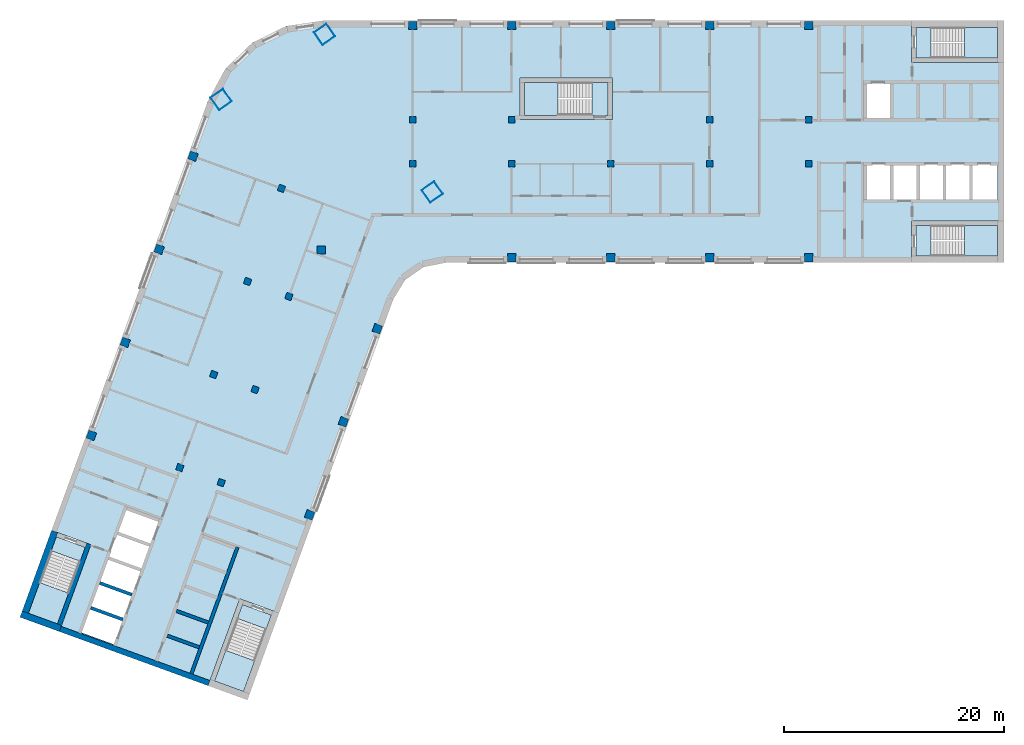
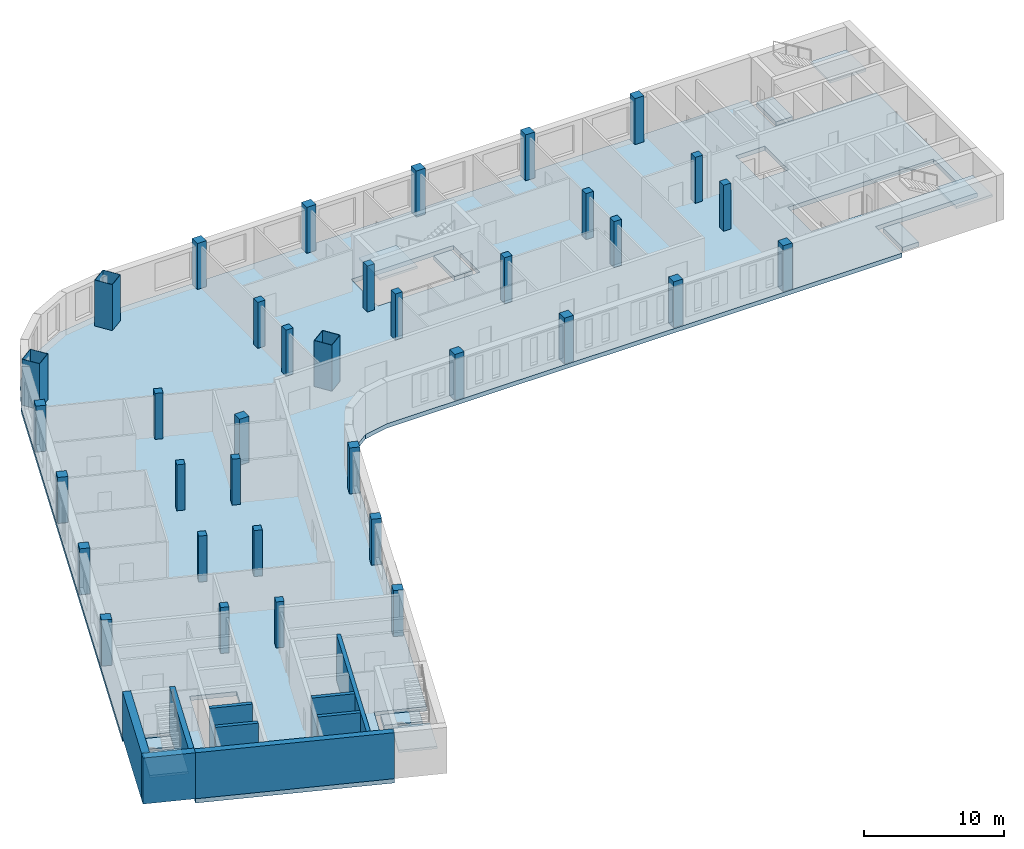
# One storey, part 1 of 8: 36 columns, 11 slabs, 9 walls, 5 elements without a shape of their own.
"""IFC4 building model written with IfcOpenShell, lengths in metres."""

from ifc_helpers import new_model, si_unit, direction, frame, frame_2d, origin, origin_2d, place, context, subcontext, project, spatial, polyline, rectangle, hollow_rectangle, outline, extrude, material, layer, layer_set, material_profile, profile_set, type_object, element, aggregate, save


model = new_model("IFC4")

# Units and contexts
model_context = context("Model", 3, precision=1e-05, world=origin(), true_north=direction((0.0, 1.0)))
body_context = subcontext(model_context, "Body", "Model", "MODEL_VIEW")
ifc_project = project(units=[si_unit("LENGTHUNIT", "METRE"), si_unit("AREAUNIT", "SQUARE_METRE"), si_unit("VOLUMEUNIT", "CUBIC_METRE"), si_unit("PLANEANGLEUNIT", "RADIAN"), si_unit("MASSUNIT", "GRAM", prefix="KILO")], contexts=[model_context])

# Site, building, storey
site_placement = place(None, origin())
site = spatial("IfcSite", under=ifc_project, at=site_placement, CompositionType="ELEMENT")
building_placement = place(site_placement, origin())
building = spatial("IfcBuilding", under=site, at=building_placement, Name="Skarvind Civic Tower", CompositionType="ELEMENT")
storey_placement = place(building_placement, frame((0.0, 0.0, 224.0)))
storey = spatial("IfcBuildingStorey", under=building, at=storey_placement, Name="L53", CompositionType="ELEMENT", Elevation=224.0)

# Columns
ifc_material_1 = material(Name="Concrete C60", Category="concrete")
ifc_material_profile_1 = material_profile(ifc_material_1, rectangle(XDim=0.60009765625, YDim=0.60009765625, at=origin_2d()), Name="RC-600x600")
ifc_profile_set_1 = profile_set([ifc_material_profile_1], Name="Concrete C60")
column_type_1 = type_object("IfcColumnType", Name="Column RC-600x600 C60", PredefinedType="COLUMN", material=ifc_profile_set_1)
for number, where, z_axis, x_axis, name in (
    (1, (54.25, 130.0, 0.0), (0.0, 0.0, 1.0), (1.0, 0.0, 0.0), "Column wing 1 north inner 02 L53"),
    (2, (63.25, 130.0, 0.0), (0.0, 0.0, 1.0), (1.0, 0.0, 0.0), "Column wing 1 north inner 03 L53"),
    (3, (81.25, 130.0, 0.0), (0.0, 0.0, 1.0), (1.0, 0.0, 0.0), "Column wing 1 north inner 05 L53"),
    (4, (90.25, 130.0, 0.0), (0.0, 0.0, 1.0), (1.0, 0.0, 0.0), "Column wing 1 north inner 06 L53"),
    (5, (54.25, 126.0, 0.0), (0.0, 0.0, 1.0), (1.0, 0.0, 0.0), "Column wing 1 south inner 02 L53"),
    (6, (63.25, 126.0, 0.0), (0.0, 0.0, 1.0), (1.0, 0.0, 0.0), "Column wing 1 south inner 03 L53"),
    (7, (72.25, 126.0, 0.0), (0.0, 0.0, 1.0), (1.0, 0.0, 0.0), "Column wing 1 south inner 04 L53"),
    (8, (81.25, 126.0, 0.0), (0.0, 0.0, 1.0), (1.0, 0.0, 0.0), "Column wing 1 south inner 05 L53"),
    (9, (90.25, 126.0, 0.0), (0.0, 0.0, 1.0), (1.0, 0.0, 0.0), "Column wing 1 south inner 06 L53"),
    (10, (43.005615234375, 113.92529296875, 0.0), (0.0, 0.0, 1.0), (-0.342020143326, -0.939692620786, 0.0), "Column wing 2 left inner 02 L53"),
    (11, (39.927490234375, 105.468017578125, 0.0), (0.0, 0.0, 1.0), (-0.342020143326, -0.939692620786, 0.0), "Column wing 2 left inner 03 L53"),
    (12, (36.84912109375, 97.010986328125, 0.0), (0.0, 0.0, 1.0), (-0.342020143326, -0.939692620786, 0.0), "Column wing 2 left inner 04 L53"),
    (13, (42.324951171875, 123.750732421875, 0.0), (0.0, 0.0, 1.0), (-0.342020143326, -0.939692620786, 0.0), "Column wing 2 right inner 01 L53"),
    (14, (39.246826171875, 115.29345703125, 0.0), (0.0, 0.0, 1.0), (-0.342020143326, -0.939692620786, 0.0), "Column wing 2 right inner 02 L53"),
    (15, (36.168701171875, 106.836181640625, 0.0), (0.0, 0.0, 1.0), (-0.342020143326, -0.939692620786, 0.0), "Column wing 2 right inner 03 L53"),
    (16, (33.090576171875, 98.37890625, 0.0), (0.0, 0.0, 1.0), (-0.342020143326, -0.939692620786, 0.0), "Column wing 2 right inner 04 L53"),
):
    element("IfcColumn", number, at=place(storey_placement, frame(where, z_axis=z_axis, x_axis=x_axis)), inside=storey, type_object=column_type_1, Name=name, PredefinedType="COLUMN", context=body_context, shape_type="SweptSolid", body=[
        extrude(rectangle(XDim=0.60009765625, YDim=0.60009765625, at=origin_2d()), origin(), (0.0, 0.0, 1.0), 4.0),
    ])
ifc_material_profile_2 = material_profile(ifc_material_1, rectangle(XDim=0.75, YDim=0.75, at=origin_2d()), Name="RC-750x750")
ifc_profile_set_2 = profile_set([ifc_material_profile_2], Name="Concrete C60")
column_type_2 = type_object("IfcColumnType", Name="Column RC-750x750 C60", PredefinedType="COLUMN", material=ifc_profile_set_2)
for number, where, z_axis, x_axis, name in (
    (17, (54.25, 138.550048828125, 0.0), (0.0, 0.0, 1.0), (1.0, 0.0, 0.0), "Column wing 1 north perimeter 02 L53"),
    (18, (63.25, 138.550048828125, 0.0), (0.0, 0.0, 1.0), (1.0, 0.0, 0.0), "Column wing 1 north perimeter 03 L53"),
    (19, (72.25, 138.550048828125, 0.0), (0.0, 0.0, 1.0), (1.0, 0.0, 0.0), "Column wing 1 north perimeter 04 L53"),
    (20, (81.25, 138.550048828125, 0.0), (0.0, 0.0, 1.0), (1.0, 0.0, 0.0), "Column wing 1 north perimeter 05 L53"),
    (21, (90.25, 138.550048828125, 0.0), (0.0, 0.0, 1.0), (1.0, 0.0, 0.0), "Column wing 1 north perimeter 06 L53"),
    (22, (45.95166015625, 118.151611328125, 0.0), (0.0, 0.0, 1.0), (1.0, 0.0, 0.0), "Column wing 1 south perimeter 01 L53"),
    (23, (63.25, 117.449951171875, 0.0), (0.0, 0.0, 1.0), (1.0, 0.0, 0.0), "Column wing 1 south perimeter 03 L53"),
    (24, (72.25, 117.449951171875, 0.0), (0.0, 0.0, 1.0), (1.0, 0.0, 0.0), "Column wing 1 south perimeter 04 L53"),
    (25, (81.25, 117.449951171875, 0.0), (0.0, 0.0, 1.0), (1.0, 0.0, 0.0), "Column wing 1 south perimeter 05 L53"),
    (26, (90.25, 117.449951171875, 0.0), (0.0, 0.0, 1.0), (1.0, 0.0, 0.0), "Column wing 1 south perimeter 06 L53"),
    (27, (51.0400390625, 111.0009765625, 0.0), (0.0, 0.0, 1.0), (-0.342020143326, -0.939692620786, 0.0), "Column wing 2 left perimeter 02 L53"),
    (28, (47.961669921875, 102.5439453125, 0.0), (0.0, 0.0, 1.0), (-0.342020143326, -0.939692620786, 0.0), "Column wing 2 left perimeter 03 L53"),
    (29, (44.883544921875, 94.086669921875, 0.0), (0.0, 0.0, 1.0), (-0.342020143326, -0.939692620786, 0.0), "Column wing 2 left perimeter 04 L53"),
    (30, (34.29052734375, 126.6748046875, 0.0), (0.0, 0.0, 1.0), (-0.342020143326, -0.939692620786, 0.0), "Column wing 2 right perimeter 01 L53"),
    (31, (31.21240234375, 118.2177734375, 0.0), (0.0, 0.0, 1.0), (-0.342020143326, -0.939692620786, 0.0), "Column wing 2 right perimeter 02 L53"),
    (32, (28.13427734375, 109.760498046875, 0.0), (0.0, 0.0, 1.0), (-0.342020143326, -0.939692620786, 0.0), "Column wing 2 right perimeter 03 L53"),
    (33, (25.05615234375, 101.30322265625, 0.0), (0.0, 0.0, 1.0), (-0.342020143326, -0.939692620786, 0.0), "Column wing 2 right perimeter 04 L53"),
):
    element("IfcColumn", number, at=place(storey_placement, frame(where, z_axis=z_axis, x_axis=x_axis)), inside=storey, type_object=column_type_2, Name=name, PredefinedType="COLUMN", context=body_context, shape_type="SweptSolid", body=[
        extrude(rectangle(XDim=0.75, YDim=0.75, at=origin_2d()), origin(), (0.0, 0.0, 1.0), 4.0),
    ])
ifc_material_2 = material(Name="Composite concrete-filled steel tube, Steel SM355 with Concrete C60", Category="concrete")
ifc_material_profile_3 = material_profile(ifc_material_2, hollow_rectangle(XDim=1.39990234375, YDim=1.39990234375, WallThickness=0.031982421875, at=origin_2d()), Name="BOX-1400x1400x32")
ifc_profile_set_3 = profile_set([ifc_material_profile_3], Name="Composite concrete-filled steel tube, Steel SM355 with Concrete C60")
column_type_3 = type_object("IfcColumnType", Name="Mega column BOX-1400x1400x32 filled C60", PredefinedType="COLUMN", material=ifc_profile_set_3)
for number, where, z_axis, x_axis, name in (
    (34, (36.845947265625, 131.837646484375, 0.0), (0.0, 0.0, 1.0), (0.573576436351, -0.819152044289, 0.0), "Mega column 1 L53"),
    (35, (46.2470703125, 137.762451171875, 0.0), (0.0, 0.0, 1.0), (0.573576436351, -0.819152044289, 0.0), "Mega column 2 L53"),
    (36, (56.0361328125, 123.43017578125, 0.0), (0.0, 0.0, 1.0), (0.573576436351, -0.819152044289, 0.0), "Mega column 4 L53"),
):
    element("IfcColumn", number, at=place(storey_placement, frame(where, z_axis=z_axis, x_axis=x_axis)), inside=storey, type_object=column_type_3, Name=name, PredefinedType="COLUMN", context=body_context, shape_type="SweptSolid", body=[
        extrude(hollow_rectangle(XDim=1.39990234375, YDim=1.39990234375, WallThickness=0.031982421875, at=origin_2d()), origin(), (0.0, 0.0, 1.0), 4.0),
    ])

# Slabs
ifc_material_3 = material(Name="Concrete C50", Category="concrete")
ifc_layer_1 = layer(ifc_material_3, 0.375)
ifc_layer_set_1 = layer_set([ifc_layer_1], Name="Floor slab 375 C50")
slab_type_1 = type_object("IfcSlabType", Name="Floor slab 375 C50", PredefinedType="FLOOR", material=ifc_layer_set_1)
slab_1_placement = place(storey_placement, frame((0.0, 0.0, -0.375)))
element("IfcSlab", 37, at=slab_1_placement, inside=storey, type_object=slab_type_1, Name="Floor slab L53 1", PredefinedType="FLOOR", context=body_context, shape_type="SweptSolid", body=[
    extrude(outline(polyline([(99.60009765625, 117.0), (99.60009765625, 120.800048828125), (108.0, 120.800048828125), (108.0, 135.199951171875), (99.60009765625, 135.199951171875), (99.60009765625, 139.0), (46.095458984375, 139.0), (42.739501953125, 138.5009765625), (39.6943359375, 137.005615234375), (37.24755859375, 134.6552734375), (35.630615234375, 131.672607421875), (19.41748046875, 87.126708984375), (21.435302734375, 92.6708984375), (25.006103515625, 91.371337890625), (22.13330078125, 83.477783203125), (36.886474609375, 78.108154296875), (35.664794921875, 78.552734375), (38.53759765625, 86.4462890625), (42.108642578125, 85.146484375), (40.0908203125, 79.602294921875), (40.0908203125, 79.602294921875), (52.493896484375, 113.68017578125), (53.560791015625, 115.421630859375), (55.23388671875, 116.593017578125), (57.235107421875, 117.0), (99.60009765625, 117.0)]), holes=[polyline([(25.671630859375, 87.9365234375), (26.492431640625, 90.19189453125), (27.313232421875, 92.447021484375), (28.134033203125, 94.702392578125), (31.3291015625, 93.53955078125), (30.50830078125, 91.2841796875), (29.6875, 89.029052734375), (28.866455078125, 86.773681640625), (28.866455078125, 86.773681640625), (28.045654296875, 84.5185546875), (27.224853515625, 82.26318359375), (24.02978515625, 83.426025390625), (24.8505859375, 85.681396484375), (25.671630859375, 87.9365234375), (25.671630859375, 87.9365234375)]), polyline([(64.0, 130.0), (64.0, 133.800048828125), (72.39990234375, 133.800048828125), (72.39990234375, 130.0), (64.0, 130.0)]), polyline([(97.800048828125, 126.0), (100.199951171875, 126.0), (102.60009765625, 126.0), (105.0, 126.0), (107.39990234375, 126.0), (107.39990234375, 122.60009765625), (105.0, 122.60009765625), (102.60009765625, 122.60009765625), (100.199951171875, 122.60009765625), (97.800048828125, 122.60009765625), (95.39990234375, 122.60009765625), (95.39990234375, 126.0), (97.800048828125, 126.0)]), polyline([(97.800048828125, 133.39990234375), (97.800048828125, 130.0), (95.39990234375, 130.0), (95.39990234375, 133.39990234375), (97.800048828125, 133.39990234375)])]), origin(), (0.0, 0.0, 1.0), 0.375),
])
ifc_material_4 = material(Name="Concrete C40/50", Category="concrete")
ifc_layer_2 = layer(ifc_material_4, 0.375)
ifc_layer_set_2 = layer_set([ifc_layer_2], Name="Stair floor landing slab 375")
slab_type_2 = type_object("IfcSlabType", Name="Stair floor landing slab 375", PredefinedType="LANDING", material=ifc_layer_set_2)
slab_2_placement = place(storey_placement, frame((0.0, 0.0, -0.375)))
element("IfcSlab", 38, at=slab_2_placement, inside=storey, type_object=slab_type_2, Name="Stair floor landing", PredefinedType="LANDING", context=body_context, shape_type="SweptSolid", body=[
    extrude(outline(polyline([(101.3505859375, 138.400634765625), (101.3505859375, 135.599365234375), (99.99951171875, 135.599365234375), (99.99951171875, 138.400634765625), (101.3505859375, 138.400634765625)])), origin(), (0.0, 0.0, 1.0), 0.375),
])
slab_3_placement = place(storey_placement, frame((0.0, 0.0, -0.375)))
element("IfcSlab", 39, at=slab_3_placement, inside=storey, type_object=slab_type_2, Name="Stair floor landing", PredefinedType="LANDING", context=body_context, shape_type="SweptSolid", body=[
    extrude(outline(polyline([(101.3505859375, 120.400634765625), (101.3505859375, 117.599365234375), (99.99951171875, 117.599365234375), (99.99951171875, 120.400634765625), (101.3505859375, 120.400634765625)])), origin(), (0.0, 0.0, 1.0), 0.375),
])
slab_4_placement = place(storey_placement, frame((0.0, 0.0, -0.375)))
element("IfcSlab", 40, at=slab_4_placement, inside=storey, type_object=slab_type_2, Name="Stair floor landing", PredefinedType="LANDING", context=body_context, shape_type="SweptSolid", body=[
    extrude(outline(polyline([(40.946533203125, 83.70654296875), (38.314208984375, 84.66455078125), (38.7763671875, 85.934326171875), (41.40869140625, 84.976318359375), (40.946533203125, 83.70654296875)])), origin(), (0.0, 0.0, 1.0), 0.375),
])
slab_5_placement = place(storey_placement, frame((0.0, 0.0, -0.375)))
element("IfcSlab", 41, at=slab_5_placement, inside=storey, type_object=slab_type_2, Name="Stair floor landing", PredefinedType="LANDING", context=body_context, shape_type="SweptSolid", body=[
    extrude(outline(polyline([(24.0322265625, 89.863037109375), (21.39990234375, 90.821044921875), (21.862060546875, 92.090576171875), (24.494384765625, 91.132568359375), (24.0322265625, 89.863037109375)])), origin(), (0.0, 0.0, 1.0), 0.375),
])
slab_6_placement = place(storey_placement, frame((0.0, 0.0, -0.375)))
element("IfcSlab", 42, at=slab_6_placement, inside=storey, type_object=slab_type_2, Name="Stair floor landing", PredefinedType="LANDING", context=body_context, shape_type="SweptSolid", body=[
    extrude(outline(polyline([(70.54931640625, 130.3994140625), (70.54931640625, 133.400634765625), (72.00048828125, 133.400634765625), (72.00048828125, 130.3994140625), (70.54931640625, 130.3994140625)])), origin(), (0.0, 0.0, 1.0), 0.375),
])

# Stair, slab
stair_type_1 = type_object("IfcStairType", Name="Exit stair, half-turn, concrete", PredefinedType="HALF_TURN_STAIR", material=ifc_material_4)
stair_1_placement = place(storey_placement, origin())
stair_1 = element("IfcStair", 43, at=stair_1_placement, inside=storey, type_object=stair_type_1, Name="Exit stair C1S", PredefinedType="HALF_TURN_STAIR")
ifc_layer_3 = layer(ifc_material_4, 0.199951171875)
ifc_layer_set_3 = layer_set([ifc_layer_3], Name="Stair half landing slab")
slab_type_3 = type_object("IfcSlabType", Name="Stair half landing slab", PredefinedType="LANDING", material=ifc_layer_set_3)
slab_7_placement = place(storey_placement, frame((0.0, 0.0, 1.800048828125)))
slab_7 = element("IfcSlab", 44, at=slab_7_placement, type_object=slab_type_3, Name="ST-C1S landing 1", PredefinedType="LANDING", context=body_context, shape_type="SweptSolid", body=[
    extrude(outline(polyline([(104.429443359375, 135.599365234375), (104.429443359375, 138.400634765625), (107.400634765625, 138.400634765625), (107.400634765625, 135.599365234375), (104.429443359375, 135.599365234375)])), origin(), (0.0, 0.0, 1.0), 0.199951171875),
])
aggregate(stair_1, [slab_7])

stair_2_placement = place(storey_placement, origin())
stair_2 = element("IfcStair", 45, at=stair_2_placement, inside=storey, type_object=stair_type_1, Name="Exit stair C1N", PredefinedType="HALF_TURN_STAIR")
slab_8_placement = place(storey_placement, frame((0.0, 0.0, 1.800048828125)))
slab_8 = element("IfcSlab", 46, at=slab_8_placement, type_object=slab_type_3, Name="ST-C1N landing 1", PredefinedType="LANDING", context=body_context, shape_type="SweptSolid", body=[
    extrude(outline(polyline([(104.429443359375, 117.599365234375), (104.429443359375, 120.400634765625), (107.400634765625, 120.400634765625), (107.400634765625, 117.599365234375), (104.429443359375, 117.599365234375)])), origin(), (0.0, 0.0, 1.0), 0.199951171875),
])
aggregate(stair_2, [slab_8])

stair_3_placement = place(storey_placement, origin())
stair_3 = element("IfcStair", 47, at=stair_3_placement, inside=storey, type_object=stair_type_1, Name="Exit stair C2S", PredefinedType="HALF_TURN_STAIR")
slab_9_placement = place(storey_placement, frame((0.0, 0.0, 1.800048828125)))
slab_9 = element("IfcSlab", 48, at=slab_9_placement, type_object=slab_type_3, Name="ST-C2S landing 1", PredefinedType="LANDING", context=body_context, shape_type="SweptSolid", body=[
    extrude(outline(polyline([(37.26123046875, 81.771484375), (39.8935546875, 80.8134765625), (38.87744140625, 78.021484375), (36.2451171875, 78.9794921875), (37.26123046875, 81.771484375)])), origin(), (0.0, 0.0, 1.0), 0.199951171875),
])
aggregate(stair_3, [slab_9])

stair_4_placement = place(storey_placement, origin())
stair_4 = element("IfcStair", 49, at=stair_4_placement, inside=storey, type_object=stair_type_1, Name="Exit stair C2N", PredefinedType="HALF_TURN_STAIR")
slab_10_placement = place(storey_placement, frame((0.0, 0.0, 1.800048828125)))
slab_10 = element("IfcSlab", 50, at=slab_10_placement, type_object=slab_type_3, Name="ST-C2N landing 1", PredefinedType="LANDING", context=body_context, shape_type="SweptSolid", body=[
    extrude(outline(polyline([(20.346923828125, 87.927734375), (22.97900390625, 86.9697265625), (21.962890625, 84.177734375), (19.33056640625, 85.1357421875), (20.346923828125, 87.927734375)])), origin(), (0.0, 0.0, 1.0), 0.199951171875),
])
aggregate(stair_4, [slab_10])

stair_type_2 = type_object("IfcStairType", Name="Exit stair 1450, half-turn, concrete", PredefinedType="HALF_TURN_STAIR", material=ifc_material_4)
stair_5_placement = place(storey_placement, origin())
stair_5 = element("IfcStair", 51, at=stair_5_placement, inside=storey, type_object=stair_type_2, Name="Exit stair CM", PredefinedType="HALF_TURN_STAIR")
slab_11_placement = place(storey_placement, frame((0.0, 0.0, 1.800048828125)))
slab_11 = element("IfcSlab", 52, at=slab_11_placement, type_object=slab_type_3, Name="ST-CM landing 1", PredefinedType="LANDING", context=body_context, shape_type="SweptSolid", body=[
    extrude(outline(polyline([(67.470703125, 133.400634765625), (67.470703125, 130.3994140625), (64.3994140625, 130.3994140625), (64.3994140625, 133.400634765625), (67.470703125, 133.400634765625)])), origin(), (0.0, 0.0, 1.0), 0.199951171875),
])
aggregate(stair_5, [slab_11])

# Walls
ifc_layer_4 = layer(ifc_material_1, 0.300048828125)
ifc_layer_set_4 = layer_set([ifc_layer_4], Name="Core wall 300 C60")
wall_type_1 = type_object("IfcWallType", Name="Core wall 300 C60", PredefinedType="SHEAR", material=ifc_layer_set_4)
wall_1_placement = place(storey_placement, frame((34.144287109375, 79.638427734375, 0.0), z_axis=(0.0, 0.0, 1.0), x_axis=(0.342016684409, 0.939693879721, 0.0)))
element("IfcWall", 53, at=wall_1_placement, inside=storey, type_object=wall_type_1, Name="Core wall C2 south lift row back L53", PredefinedType="SHEAR", context=body_context, shape_type="SweptSolid", body=[
    extrude(rectangle(XDim=12.25, YDim=0.300048828125, at=frame_2d((6.125, 0.0))), origin(), (0.0, 0.0, 1.0), 4.0),
])
wall_2_placement = place(storey_placement, frame((34.8583984375, 82.038818359375, 0.0), z_axis=(0.0, 0.0, 1.0), x_axis=(-0.939689908313, 0.342027595692, 0.0)))
element("IfcWall", 54, at=wall_2_placement, inside=storey, type_object=wall_type_1, Name="Core wall C2 south lift row division 1 L53", PredefinedType="SHEAR", context=body_context, shape_type="SweptSolid", body=[
    extrude(rectangle(XDim=3.10009765625, YDim=0.300048828125, at=frame_2d((1.550048828125, 0.0))), origin(), (0.0, 0.0, 1.0), 4.0),
])
wall_3_placement = place(storey_placement, frame((35.67919921875, 84.294189453125, 0.0), z_axis=(0.0, 0.0, 1.0), x_axis=(-0.939706007505, 0.341983361377, 0.0)))
element("IfcWall", 55, at=wall_3_placement, inside=storey, type_object=wall_type_1, Name="Core wall C2 south lift row division 2 L53", PredefinedType="SHEAR", context=body_context, shape_type="SweptSolid", body=[
    extrude(rectangle(XDim=3.099853515625, YDim=0.300048828125, at=frame_2d((1.5498046875, 0.0))), origin(), (0.0, 0.0, 1.0), 4.0),
])
for number, where, z_axis, x_axis, name in (
    (56, (27.90478515625, 84.56982421875, 0.0), (0.0, 0.0, 1.0), (-0.939689908313, 0.342027595692, 0.0), "Core wall C2 north lift row division 1 L53"),
    (57, (28.7255859375, 86.824951171875, 0.0), (0.0, 0.0, 1.0), (-0.939689908313, 0.342027595692, 0.0), "Core wall C2 north lift row division 2 L53"),
):
    element("IfcWall", number, at=place(storey_placement, frame(where, z_axis=z_axis, x_axis=x_axis)), inside=storey, type_object=wall_type_1, Name=name, PredefinedType="SHEAR", context=body_context, shape_type="SweptSolid", body=[
        extrude(rectangle(XDim=3.10009765625, YDim=0.300048828125, at=frame_2d((1.550048828125, 0.0))), origin(), (0.0, 0.0, 1.0), 4.0),
    ])
ifc_layer_5 = layer(ifc_material_1, 0.39990234375)
ifc_layer_set_5 = layer_set([ifc_layer_5], Name="Core wall 400 C60")
wall_type_2 = type_object("IfcWallType", Name="Core wall 400 C60", PredefinedType="SHEAR", material=ifc_layer_set_5)
wall_4_placement = place(storey_placement, frame((22.150390625, 84.110107421875, 0.0), z_axis=(0.0, 0.0, 1.0), x_axis=(0.342016982193, 0.939693771338, 0.0)))
element("IfcWall", 58, at=wall_4_placement, inside=storey, type_object=wall_type_2, Name="Core wall C2 north stair inner L53", PredefinedType="SHEAR", context=body_context, shape_type="SweptSolid", body=[
    extrude(rectangle(XDim=7.800048828125, YDim=0.39990234375, at=frame_2d((3.89990234375, 0.0))), origin(), (0.0, 0.0, 1.0), 4.0),
])
ifc_layer_6 = layer(ifc_material_1, 0.5)
ifc_layer_set_6 = layer_set([ifc_layer_6], Name="Core wall 500 C60")
wall_type_3 = type_object("IfcWallType", Name="Core wall 500 C60", PredefinedType="SHEAR", material=ifc_layer_set_6)
wall_5_placement = place(storey_placement, frame((35.750244140625, 78.787841796875, 0.0), z_axis=(0.0, 0.0, 1.0), x_axis=(-0.939692894512, 0.342019391267, 0.0)))
element("IfcWall", 59, at=wall_5_placement, inside=storey, type_object=wall_type_3, Name="Core wall C2 tip between the stairs L53", PredefinedType="SHEAR", context=body_context, shape_type="SweptSolid", body=[
    extrude(rectangle(XDim=14.39990234375, YDim=0.5, at=frame_2d((7.199951171875, 0.0))), origin(), (0.0, 0.0, 1.0), 4.0),
])
ifc_layer_7 = layer(ifc_material_1, 0.60009765625)
ifc_layer_set_7 = layer_set([ifc_layer_7], Name="Core wall 600 C60")
wall_type_4 = type_object("IfcWallType", Name="Core wall 600 C60", PredefinedType="SHEAR", material=ifc_layer_set_7)
wall_6_placement = place(storey_placement, frame((22.23583984375, 83.759765625, 0.0), z_axis=(0.0, 0.0, 1.0), x_axis=(-0.939680822529, 0.342052557032, 0.0)))
element("IfcWall", 60, at=wall_6_placement, inside=storey, type_object=wall_type_4, Name="Core wall C2 tip at the north stair L53", PredefinedType="SHEAR", context=body_context, shape_type="SweptSolid", body=[
    extrude(rectangle(XDim=3.800048828125, YDim=0.60009765625, at=frame_2d((1.89990234375, 0.0))), origin(), (0.0, 0.0, 1.0), 4.0),
])
wall_7_placement = place(storey_placement, frame((19.049560546875, 85.23876953125, 0.0), z_axis=(0.0, 0.0, 1.0), x_axis=(0.342016982193, 0.939693771338, 0.0)))
element("IfcWall", 61, at=wall_7_placement, inside=storey, type_object=wall_type_4, Name="Core wall C2 north side at the stair L53", PredefinedType="SHEAR", context=body_context, shape_type="SweptSolid", body=[
    extrude(rectangle(XDim=7.800048828125, YDim=0.60009765625, at=frame_2d((3.89990234375, 0.0))), origin(), (0.0, 0.0, 1.0), 4.0),
])

save(model, "model.ifc")
